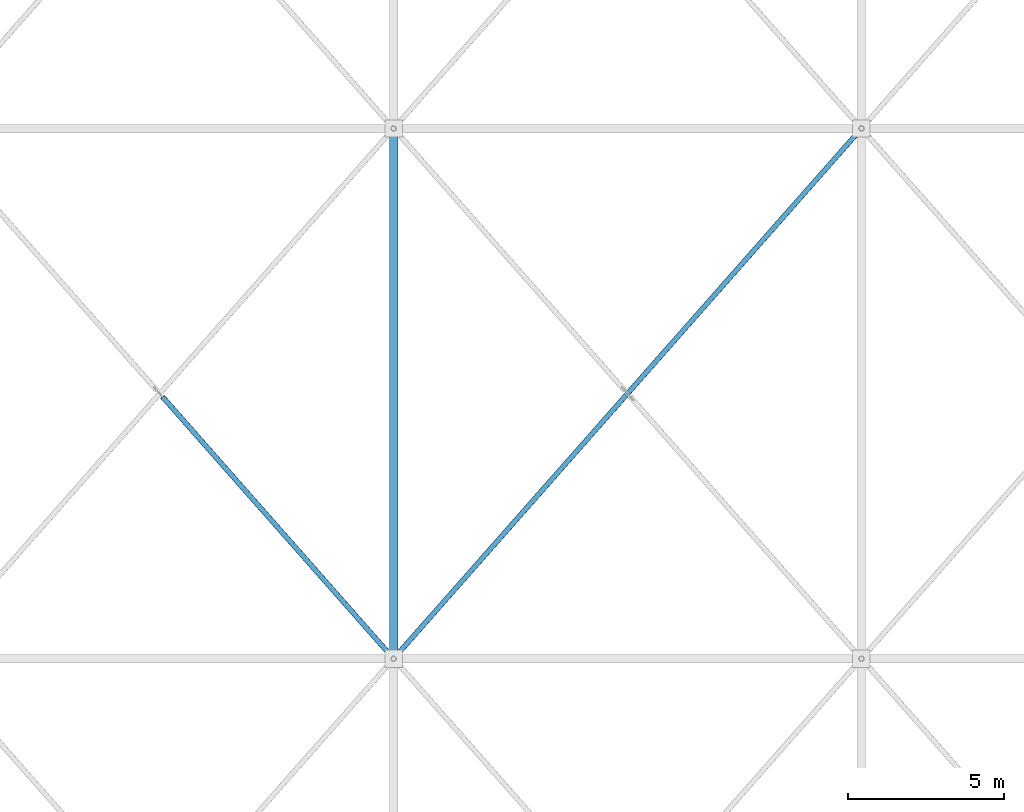
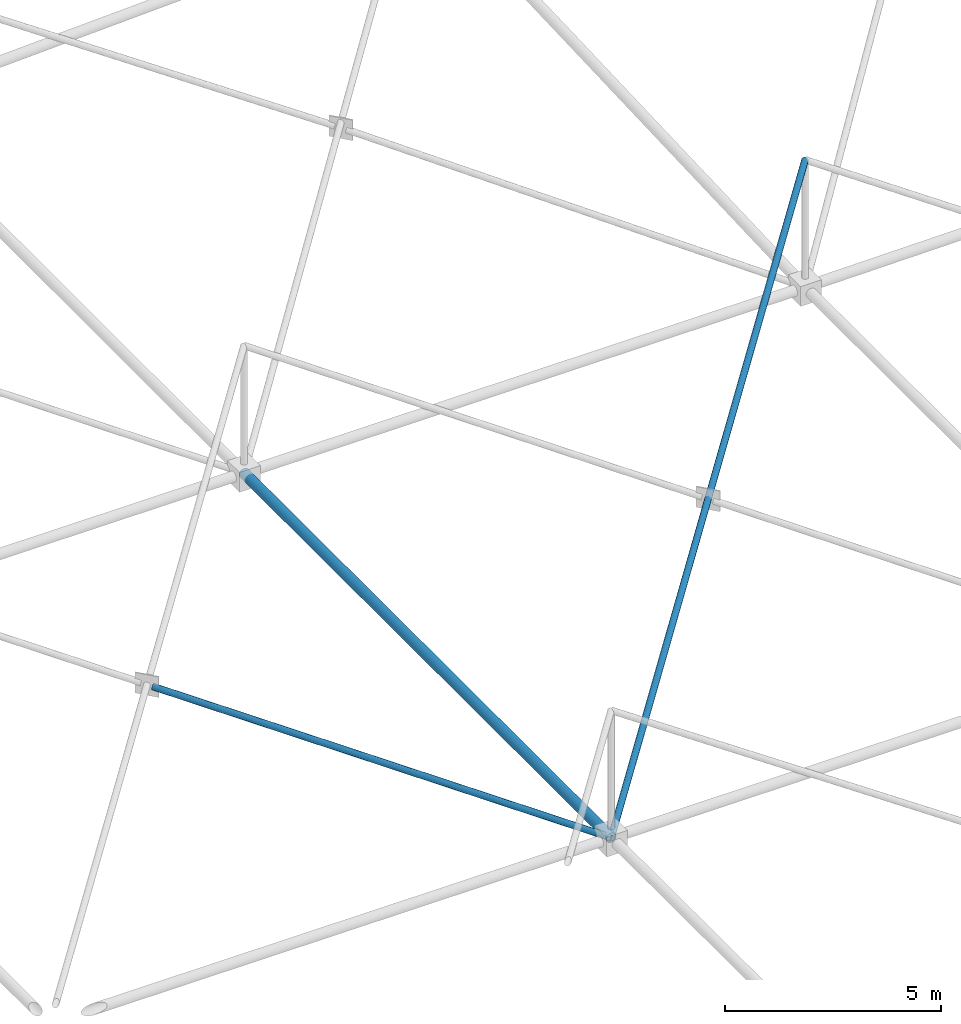
# One storey, part 64 of 224: 3 members.
"""IFC4 building model written with IfcOpenShell, lengths in metres."""

from ifc_helpers import new_model, si_unit, direction, frame, origin, origin_2d, place, context, subcontext, project, spatial, hollow_circle, extrude, material, material_profile, profile_set, type_object, element, save


model = new_model("IFC4")

# Units and contexts
model_context = context("Model", 3, precision=1e-05, world=origin(), true_north=direction((0.0, 1.0)))
body_context = subcontext(model_context, "Body", "Model", "MODEL_VIEW")
ifc_project = project(units=[si_unit("LENGTHUNIT", "METRE"), si_unit("AREAUNIT", "SQUARE_METRE"), si_unit("VOLUMEUNIT", "CUBIC_METRE"), si_unit("PLANEANGLEUNIT", "RADIAN"), si_unit("MASSUNIT", "GRAM", prefix="KILO")], contexts=[model_context])

# Site, building, storey
site_placement = place(None, origin())
site = spatial("IfcSite", under=ifc_project, at=site_placement, CompositionType="ELEMENT")
building_placement = place(site_placement, origin())
building = spatial("IfcBuilding", under=site, at=building_placement, Name="Qamarlyn Nura Convention Centre", CompositionType="ELEMENT")
storey_placement = place(building_placement, frame((0.0, 0.0, 10.800048828125)))
storey = spatial("IfcBuildingStorey", under=building, at=storey_placement, Name="L02", CompositionType="ELEMENT", Elevation=10.800048828125)

# Members
ifc_material = material(Name="Pearl-white PVDF steel ASTM A500 Grade C", Category="steel")
ifc_material_profile_1 = material_profile(ifc_material, hollow_circle(Radius=0.136474609375, WallThickness=0.012451171875, at=origin_2d()), Name="CHS273X12.5")
ifc_profile_set_1 = profile_set([ifc_material_profile_1], Name="Pearl-white PVDF steel ASTM A500 Grade C")
member_type_1 = type_object("IfcMemberType", Name="SF-BC-MAIN", PredefinedType="CHORD", material=ifc_profile_set_1)
member_1_placement = place(storey_placement, frame((90.0, 52.0, 0.800048828125), z_axis=(0.0, 1.0, 0.0), x_axis=(-1.0, 0.0, 0.0)))
element("IfcMember", 1, at=member_1_placement, inside=storey, type_object=member_type_1, Name="ROOF TRUSS space frame bottom chord Y8-4", PredefinedType="CHORD", context=body_context, shape_type="SweptSolid", body=[
    extrude(hollow_circle(Radius=0.136474609375, WallThickness=0.012451171875, at=origin_2d()), origin(), (0.0, 0.0, 1.0), 17.0),
])
ifc_material_profile_2 = material_profile(ifc_material, hollow_circle(Radius=0.084228515625, WallThickness=0.008056640625, at=origin_2d()), Name="CHS168.3X8")
ifc_profile_set_2 = profile_set([ifc_material_profile_2], Name="Pearl-white PVDF steel ASTM A500 Grade C")
member_type_2 = type_object("IfcMemberType", Name="SF-WEB-STD", PredefinedType="BRACE", material=ifc_profile_set_2)
member_2_placement = place(storey_placement, frame((90.0, 52.0, 0.800048828125), z_axis=(-0.653436826791, 0.740561737029, 0.156807611557), x_axis=(-0.749837855365, -0.661621637087, 0.0)))
element("IfcMember", 2, at=member_2_placement, inside=storey, type_object=member_type_2, Name="ROOF TRUSS space frame split diagonal B1 7-4", PredefinedType="BRACE", context=body_context, shape_type="SweptSolid", body=[
    extrude(hollow_circle(Radius=0.084228515625, WallThickness=0.008056640625, at=origin_2d()), origin(), (0.0, 0.0, 1.0), 11.337646484375),
])
member_3_placement = place(storey_placement, frame((90.0, 52.0, 0.800048828125), z_axis=(0.653429175372, 0.740553065422, 0.156880432388), x_axis=(-0.749837855365, 0.661621637087, 0.0)))
element("IfcMember", 3, at=member_3_placement, inside=storey, type_object=member_type_2, Name="ROOF TRUSS space frame diagonal A 8-4", PredefinedType="BRACE", context=body_context, shape_type="SweptSolid", body=[
    extrude(hollow_circle(Radius=0.084228515625, WallThickness=0.008056640625, at=origin_2d()), origin(), (0.0, 0.0, 1.0), 22.955810546875),
])

save(model, "model.ifc")
